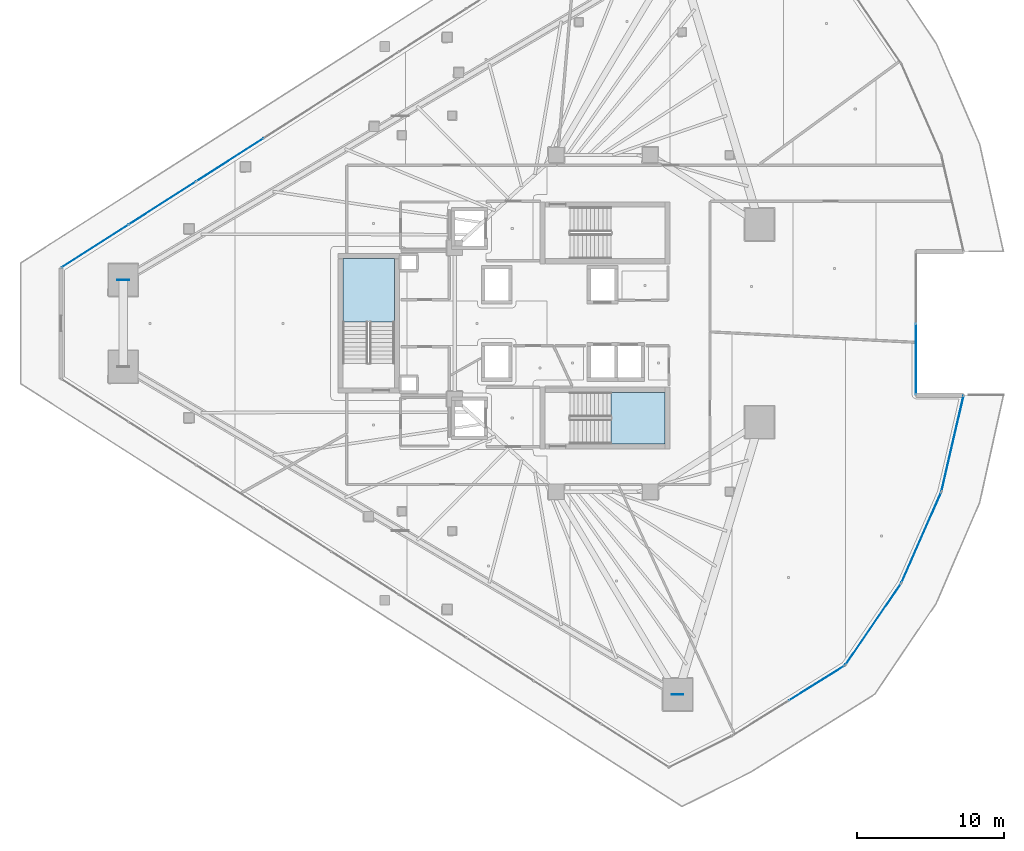
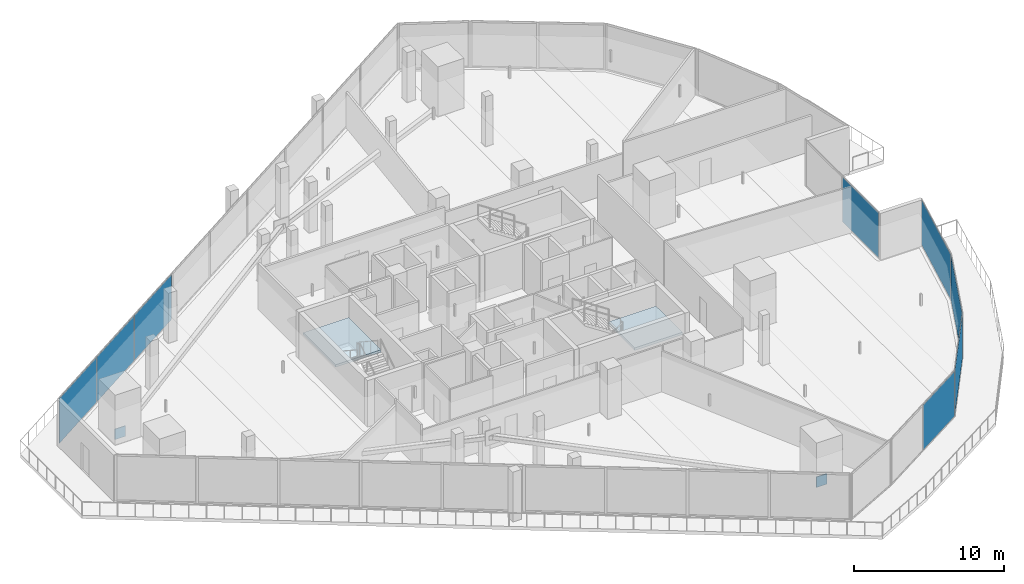
# One storey, part 27 of 40: 10 plates, 2 slabs, 8 elements without a shape of their own.
"""IFC4 building model written with IfcOpenShell, lengths in metres."""

from ifc_helpers import new_model, si_unit, direction, frame, origin, origin_2d, place, context, subcontext, project, spatial, polyline, rectangle, outline, extrude, material, layer, layer_set, type_object, element, aggregate, save


model = new_model("IFC4")

# Units and contexts
model_context = context("Model", 3, precision=1e-05, world=origin(), true_north=direction((0.0, 1.0)))
body_context = subcontext(model_context, "Body", "Model", "MODEL_VIEW")
ifc_project = project(units=[si_unit("LENGTHUNIT", "METRE"), si_unit("AREAUNIT", "SQUARE_METRE"), si_unit("VOLUMEUNIT", "CUBIC_METRE"), si_unit("PLANEANGLEUNIT", "RADIAN"), si_unit("MASSUNIT", "GRAM", prefix="KILO")], contexts=[model_context])

# Site, building, storey
site_placement = place(None, origin())
site = spatial("IfcSite", under=ifc_project, at=site_placement, CompositionType="ELEMENT")
building_placement = place(site_placement, origin())
building = spatial("IfcBuilding", under=site, at=building_placement, Name="Qorvath Tower", CompositionType="ELEMENT")
storey_placement = place(building_placement, frame((0.0, 0.0, 138.14990234375)))
storey = spatial("IfcBuildingStorey", under=building, at=storey_placement, Name="L31", CompositionType="ELEMENT", Elevation=138.14990234375)

# Curtain wall, plate
ifc_material_1 = material(Name="Anodised aluminium and triple low-E glass", Category="aluminium")
ifc_layer_1 = layer(ifc_material_1, 0.179931640625)
ifc_layer_set_1 = layer_set([ifc_layer_1], Name="CW-SYS-3")
curtain_wall_type = type_object("IfcCurtainWallType", Name="CW-SYS-3", PredefinedType="NOTDEFINED", material=ifc_layer_set_1)
curtain_wall_1_placement = place(storey_placement, origin())
curtain_wall_1 = element("IfcCurtainWall", 1, at=curtain_wall_1_placement, inside=storey, type_object=curtain_wall_type, Name="Curtain Wall CW-3 CW-T-L31-4.1", PredefinedType="NOTDEFINED")
ifc_material_2 = material(Name="Low-E triple insulated glass", Category="glass")
ifc_layer_2 = layer(ifc_material_2, 0.031982421875)
ifc_layer_set_2 = layer_set([ifc_layer_2], Name="CWP-GLZ-32")
plate_type_1 = type_object("IfcPlateType", Name="CWP-GLZ-32", PredefinedType="CURTAIN_PANEL", material=ifc_layer_set_2)
plate_1_placement = place(storey_placement, frame((-5.878173828125, -24.46923828125, 0.06494140625), z_axis=(0.0, 0.0, 1.0), x_axis=(0.848347418258, 0.529439947431, 0.0)))
plate_1 = element("IfcPlate", 2, at=plate_1_placement, type_object=plate_type_1, Name="CW-3 panel 2.1", PredefinedType="CURTAIN_PANEL", context=body_context, shape_type="SweptSolid", body=[
    extrude(rectangle(XDim=4.421875, YDim=0.031982421875, at=origin_2d()), origin(), (0.0, 0.0, 1.0), 3.64990234375),
])
aggregate(curtain_wall_1, [plate_1])

curtain_wall_2_placement = place(storey_placement, origin())
curtain_wall_2 = element("IfcCurtainWall", 3, at=curtain_wall_2_placement, inside=storey, type_object=curtain_wall_type, Name="Curtain Wall CW-3 CW-T-L31-5.1", PredefinedType="NOTDEFINED")
plate_2_placement = place(storey_placement, frame((-2.03759765625, -20.4697265625, 0.06494140625), z_axis=(0.0, 0.0, 1.0), x_axis=(0.56422256167, 0.825622735214, 0.0)))
plate_2 = element("IfcPlate", 4, at=plate_2_placement, type_object=plate_type_1, Name="CW-3 panel 1.1", PredefinedType="CURTAIN_PANEL", context=body_context, shape_type="SweptSolid", body=[
    extrude(rectangle(XDim=6.639404296875, YDim=0.031982421875, at=origin_2d()), origin(), (0.0, 0.0, 1.0), 3.64990234375),
])
aggregate(curtain_wall_2, [plate_2])

curtain_wall_3_placement = place(storey_placement, origin())
curtain_wall_3 = element("IfcCurtainWall", 5, at=curtain_wall_3_placement, inside=storey, type_object=curtain_wall_type, Name="Curtain Wall CW-3 CW-T-L31-6.1", PredefinedType="NOTDEFINED")
plate_3_placement = place(storey_placement, frame((1.23193359375, -14.575927734375, 0.06494140625), z_axis=(0.0, 0.0, 1.0), x_axis=(0.401781910433, 0.915735385605, 0.0)))
plate_3 = element("IfcPlate", 6, at=plate_3_placement, type_object=plate_type_1, Name="CW-3 panel 1.1", PredefinedType="CURTAIN_PANEL", context=body_context, shape_type="SweptSolid", body=[
    extrude(rectangle(XDim=6.63916015625, YDim=0.031982421875, at=origin_2d()), origin(), (0.0, 0.0, 1.0), 3.64990234375),
])
aggregate(curtain_wall_3, [plate_3])

curtain_wall_4_placement = place(storey_placement, origin())
curtain_wall_4 = element("IfcCurtainWall", 7, at=curtain_wall_4_placement, inside=storey, type_object=curtain_wall_type, Name="Curtain Wall CW-3 CW-T-L31-7.1", PredefinedType="NOTDEFINED")
plate_4_placement = place(storey_placement, frame((3.354736328125, -8.17919921875, 0.06494140625), z_axis=(0.0, 0.0, 1.0), x_axis=(0.225417265338, 0.974262314004, 0.0)))
plate_4 = element("IfcPlate", 8, at=plate_4_placement, type_object=plate_type_1, Name="CW-3 panel 1.1", PredefinedType="CURTAIN_PANEL", context=body_context, shape_type="SweptSolid", body=[
    extrude(rectangle(XDim=6.63916015625, YDim=0.031982421875, at=origin_2d()), origin(), (0.0, 0.0, 1.0), 3.64990234375),
])
aggregate(curtain_wall_4, [plate_4])

curtain_wall_5_placement = place(storey_placement, origin())
curtain_wall_5 = element("IfcCurtainWall", 9, at=curtain_wall_5_placement, inside=storey, type_object=curtain_wall_type, Name="Curtain Wall CW-3 CW-T-L31-9.1", PredefinedType="NOTDEFINED")
plate_5_placement = place(storey_placement, frame((0.86328125, -2.424560546875, 0.06494140625), z_axis=(0.0, 0.0, 1.0), x_axis=(0.0, 1.0, 0.0)))
plate_5 = element("IfcPlate", 10, at=plate_5_placement, type_object=plate_type_1, Name="CW-3 panel 1.1", PredefinedType="CURTAIN_PANEL", context=body_context, shape_type="SweptSolid", body=[
    extrude(rectangle(XDim=4.7841796875, YDim=0.031982421875, at=origin_2d()), origin(), (0.0, 0.0, 1.0), 3.64990234375),
])
aggregate(curtain_wall_5, [plate_5])

# Curtain wall, plates
curtain_wall_6_placement = place(storey_placement, origin())
curtain_wall_6 = element("IfcCurtainWall", 11, at=curtain_wall_6_placement, inside=storey, type_object=curtain_wall_type, Name="Curtain Wall CW-3 CW-T-L31-16.1", PredefinedType="NOTDEFINED")
plate_6_placement = place(storey_placement, frame((-45.798828125, 11.117919921875, 0.06494140625), z_axis=(0.0, 0.0, 1.0), x_axis=(-0.842603525385, -0.538534399095, 0.0)))
plate_6 = element("IfcPlate", 12, at=plate_6_placement, type_object=plate_type_1, Name="CW-3 panel 7.1", PredefinedType="CURTAIN_PANEL", context=body_context, shape_type="SweptSolid", body=[
    extrude(rectangle(XDim=5.388427734375, YDim=0.031982421875, at=origin_2d()), origin(), (0.0, 0.0, 1.0), 3.64990234375),
])
plate_7_placement = place(storey_placement, frame((-50.393798828125, 8.18115234375, 0.06494140625), z_axis=(0.0, 0.0, 1.0), x_axis=(-0.842603525385, -0.538534399095, 0.0)))
plate_7 = element("IfcPlate", 13, at=plate_7_placement, type_object=plate_type_1, Name="CW-3 panel 8.1", PredefinedType="CURTAIN_PANEL", context=body_context, shape_type="SweptSolid", body=[
    extrude(rectangle(XDim=5.388427734375, YDim=0.031982421875, at=origin_2d()), origin(), (0.0, 0.0, 1.0), 3.64990234375),
])
plate_8_placement = place(storey_placement, frame((-54.97509765625, 5.253173828125, 0.06494140625), z_axis=(0.0, 0.0, 1.0), x_axis=(-0.842603525385, -0.538534399095, 0.0)))
plate_8 = element("IfcPlate", 14, at=plate_8_placement, type_object=plate_type_1, Name="CW-3 panel 9.1", PredefinedType="CURTAIN_PANEL", context=body_context, shape_type="SweptSolid", body=[
    extrude(rectangle(XDim=5.35595703125, YDim=0.031982421875, at=origin_2d()), origin(), (0.0, 0.0, 1.0), 3.64990234375),
])
aggregate(curtain_wall_6, [plate_6, plate_7, plate_8])

# Plates
ifc_material_3 = material(Name="Steel ASTM A572 Grade 50", Category="steel")
ifc_layer_3 = layer(ifc_material_3, 0.054931640625)
ifc_layer_set_3 = layer_set([ifc_layer_3], Name="PL-MBN1")
plate_type_2 = type_object("IfcPlateType", Name="PL-MBN1", PredefinedType="USERDEFINED", material=ifc_layer_set_3)
for number, where, z_axis, x_axis, name in (
    (15, (-53.04931640625, 2.95068359375, -0.425048828125), (0.0, 0.0, 1.0), (1.0, 0.0, 0.0), "Brace Strut End Gusset Plate NDBG-094"),
    (16, (-15.34423828125, -25.24609375, -0.425048828125), (0.0, 0.0, 1.0), (1.0, 0.0, 0.0), "Brace Strut End Gusset Plate NDBG-096"),
):
    element("IfcPlate", number, at=place(storey_placement, frame(where, z_axis=z_axis, x_axis=x_axis)), inside=storey, type_object=plate_type_2, Name=name, ObjectType="GUSSET", PredefinedType="USERDEFINED", context=body_context, shape_type="SweptSolid", body=[
        extrude(rectangle(XDim=0.800048828125, YDim=0.054931640625, at=origin_2d()), origin(), (0.0, 0.0, 1.0), 0.85009765625),
    ])

# Stair, slab
ifc_material_4 = material(Name="Concrete C50/60", Category="concrete")
stair_type = type_object("IfcStairType", Name="ST-H405", PredefinedType="HALF_TURN_STAIR", material=ifc_material_4)
stair_1_placement = place(storey_placement, origin())
stair_1 = element("IfcStair", 17, at=stair_1_placement, inside=storey, type_object=stair_type, Name="L31 Tower Exit Stair 2", PredefinedType="HALF_TURN_STAIR")
ifc_material_5 = material(Name="Concrete C50/60", Category="concrete")
ifc_layer_4 = layer(ifc_material_5, 0.199951171875)
ifc_layer_set_4 = layer_set([ifc_layer_4], Name="SL-LND-200")
slab_type = type_object("IfcSlabType", Name="SL-LND-200", PredefinedType="LANDING", material=ifc_layer_set_4)
slab_1_placement = place(storey_placement, frame((0.0, 0.0, 1.8251953125)))
slab_1 = element("IfcSlab", 18, at=slab_1_placement, type_object=slab_type, Name="TS2 landing 1", PredefinedType="LANDING", context=body_context, shape_type="SweptSolid", body=[
    extrude(outline(polyline([(-19.8701171875, -8.199951171875), (-16.199951171875, -8.199951171875), (-16.199951171875, -4.68994140625), (-19.8701171875, -4.68994140625), (-19.8701171875, -8.199951171875)])), origin(), (0.0, 0.0, 1.0), 0.199951171875),
])
aggregate(stair_1, [slab_1])

stair_2_placement = place(storey_placement, origin())
stair_2 = element("IfcStair", 19, at=stair_2_placement, inside=storey, type_object=stair_type, Name="L31 Tower Exit Stair 3", PredefinedType="HALF_TURN_STAIR")
slab_2_placement = place(storey_placement, frame((0.0, 0.0, 1.8251953125)))
slab_2 = element("IfcSlab", 20, at=slab_2_placement, type_object=slab_type, Name="TS3 landing 1", PredefinedType="LANDING", context=body_context, shape_type="SweptSolid", body=[
    extrude(outline(polyline([(-34.60009765625, 0.080078125), (-34.60009765625, 4.39990234375), (-38.110107421875, 4.39990234375), (-38.110107421875, 0.080078125), (-34.60009765625, 0.080078125)])), origin(), (0.0, 0.0, 1.0), 0.199951171875),
])
aggregate(stair_2, [slab_2])

save(model, "model.ifc")
